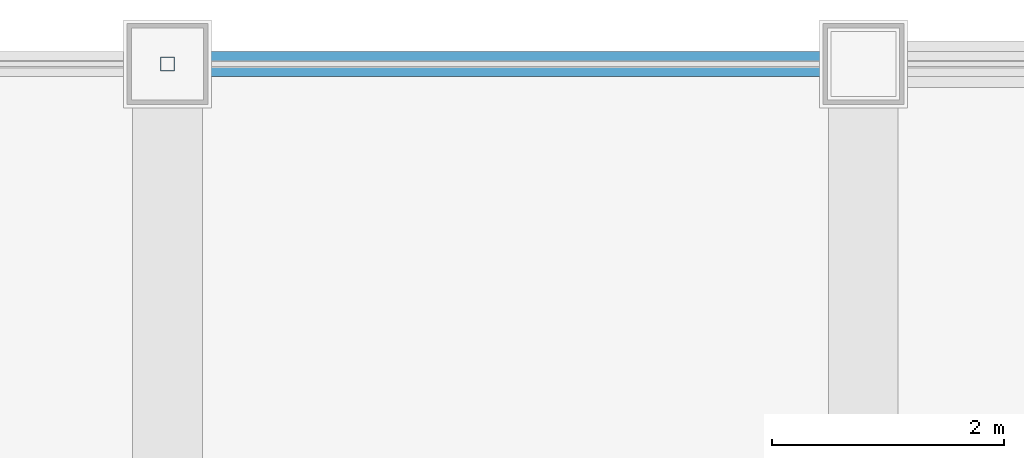
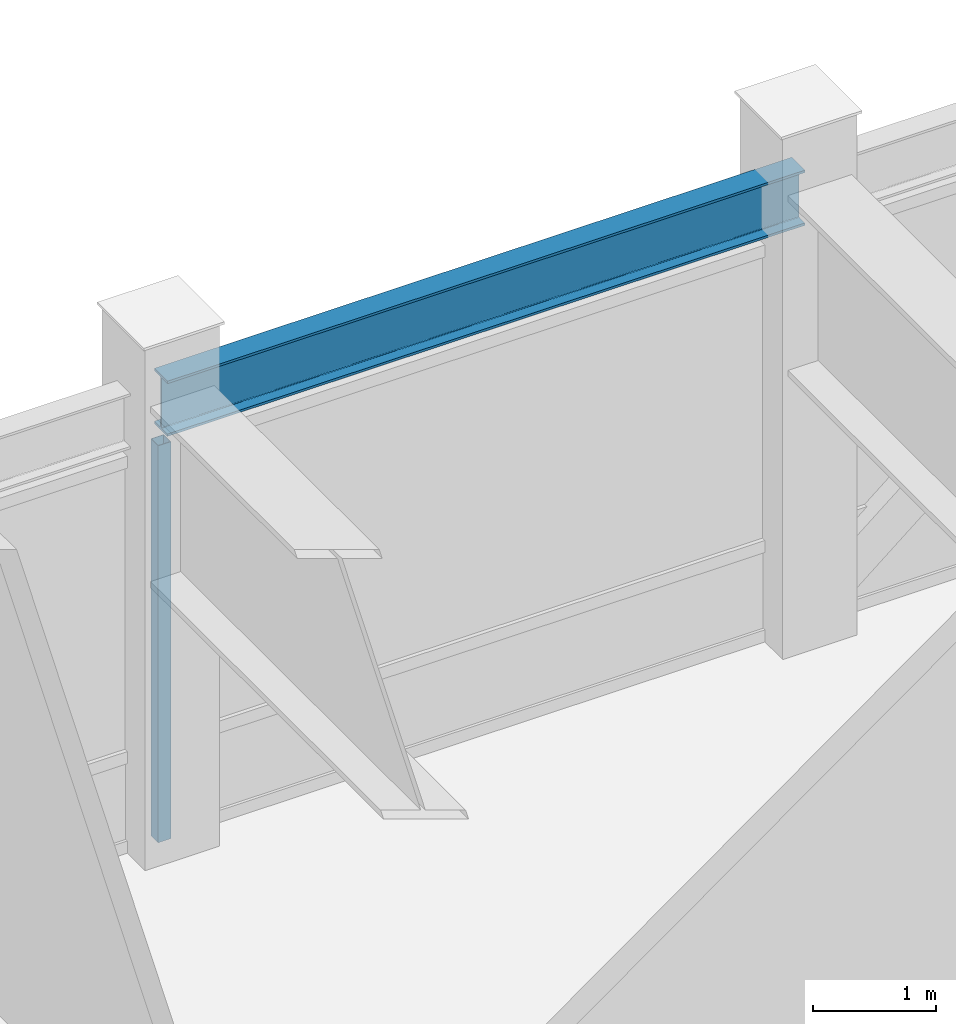
# One storey, part 18 of 29: 1 beam, 1 member, 1 element without a shape of its own.
"""IFC4 building model written with IfcOpenShell, lengths in metres."""

from ifc_helpers import new_model, si_unit, direction, frame, origin, origin_2d, place, context, subcontext, project, spatial, hollow_rectangle, i_section, extrude, source, transform, mapped, material, material_profile, profile_set, type_object, element, aggregate, save


model = new_model("IFC4")

# Units and contexts
model_context = context("Model", 3, precision=1e-05, world=origin(), true_north=direction((0.0, 1.0)))
body_context = subcontext(model_context, "Body", "Model", "MODEL_VIEW")
ifc_project = project(units=[si_unit("LENGTHUNIT", "METRE"), si_unit("AREAUNIT", "SQUARE_METRE"), si_unit("VOLUMEUNIT", "CUBIC_METRE"), si_unit("PLANEANGLEUNIT", "RADIAN"), si_unit("MASSUNIT", "GRAM", prefix="KILO")], contexts=[model_context])

# Site, building, storey
site_placement = place(None, origin())
site = spatial("IfcSite", under=ifc_project, at=site_placement, CompositionType="ELEMENT")
building_placement = place(site_placement, origin())
building = spatial("IfcBuilding", under=site, at=building_placement, Name="Khorayat Bourse Tower", CompositionType="ELEMENT")
storey_placement = place(building_placement, frame((0.0, 0.0, 370.300048828125)))
storey = spatial("IfcBuildingStorey", under=building, at=storey_placement, Name="L88", CompositionType="ELEMENT", Elevation=370.300048828125)

# Beam
ifc_material_1 = material(Name="Steel ASTM A992 Grade 50", Category="steel")
ifc_material_profile_1 = material_profile(ifc_material_1, i_section(OverallWidth=0.214111328125, OverallDepth=0.549072265625, WebThickness=0.0146484375, FlangeThickness=0.023681640625, FilletRadius=0.013916015625, at=origin_2d()), Name="W530X138")
ifc_profile_set_1 = profile_set([ifc_material_profile_1], Name="Steel ASTM A992 Grade 50")
beam_type = type_object("IfcBeamType", Name="BM-SPAN-530", PredefinedType="SPANDREL", material=ifc_profile_set_1)
shared_shape_1 = source(origin(), body_context, "Body", "SweptSolid", [
    extrude(i_section(OverallWidth=0.214111328125, OverallDepth=0.549072265625, WebThickness=0.0146484375, FlangeThickness=0.023681640625, FilletRadius=0.013916015625, at=origin_2d()), origin(), (0.0, 0.0, 1.0), 6.0),
])
beam_placement = place(storey_placement, frame((0.0, 26.0, 4.325439453125), z_axis=(1.0, 0.0, 0.0), x_axis=(0.0, 1.0, 0.0)))
element("IfcBeam", 1, at=beam_placement, inside=storey, type_object=beam_type, Name="L88 BM-SPAN-530 BM-L88-SPN-042", PredefinedType="SPANDREL", context=body_context, shape_type="MappedRepresentation", body=[
    mapped(shared_shape_1, transform((0.0, 0.0, 0.0), scale=1.0)),
])

# Curtain wall, member
ifc_material_2 = material(Name="Aluminium EN AW-6063 T6", Category="aluminium")
curtain_wall_type = type_object("IfcCurtainWallType", Name="CW-SYS-04", PredefinedType="NOTDEFINED", material=ifc_material_2)
curtain_wall_placement = place(storey_placement, origin())
curtain_wall = element("IfcCurtainWall", 2, at=curtain_wall_placement, inside=storey, type_object=curtain_wall_type, Name="L88 Curtain Wall CW-L88-N1", PredefinedType="NOTDEFINED")
ifc_material_profile_2 = material_profile(ifc_material_2, hollow_rectangle(XDim=0.1201171875, YDim=0.1201171875, WallThickness=0.0048828125, at=origin_2d()), Name="ALU 120x120x5")
ifc_profile_set_2 = profile_set([ifc_material_profile_2], Name="Aluminium EN AW-6063 T6")
member_type = type_object("IfcMemberType", Name="CWM-VERT-120", PredefinedType="MULLION", material=ifc_profile_set_2)
shared_shape_2 = source(origin(), body_context, "Body", "SweptSolid", [
    extrude(hollow_rectangle(XDim=0.1201171875, YDim=0.1201171875, WallThickness=0.0048828125, at=origin_2d()), origin(), (0.0, 0.0, 1.0), 3.949951171875),
])
member_placement = place(storey_placement, frame((0.0, 26.0, 0.0), z_axis=(0.0, 0.0, 1.0), x_axis=(0.0, 1.0, 0.0)))
member = element("IfcMember", 3, at=member_placement, type_object=member_type, Name="CW-L88-N1 Vertical Mullion 2", PredefinedType="MULLION", context=body_context, shape_type="MappedRepresentation", body=[
    mapped(shared_shape_2, transform((0.0, 0.0, 0.0), scale=1.0)),
])
aggregate(curtain_wall, [member])

save(model, "model.ifc")
